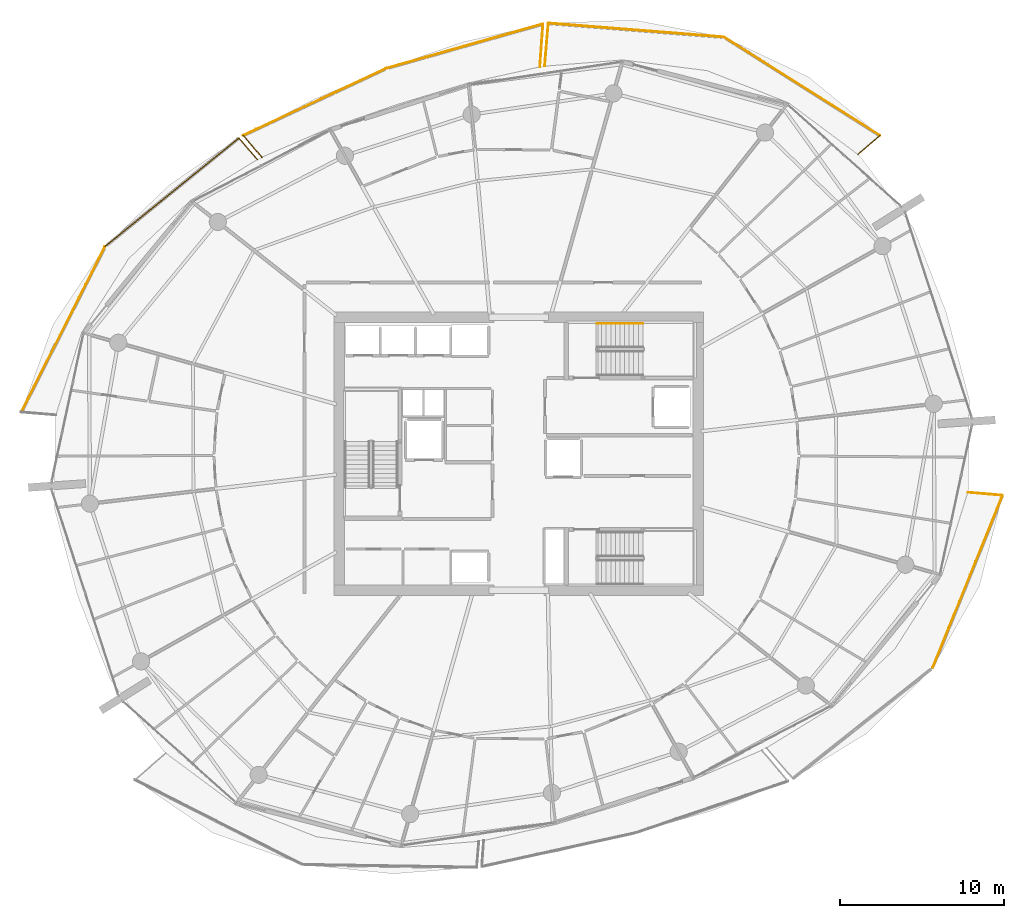
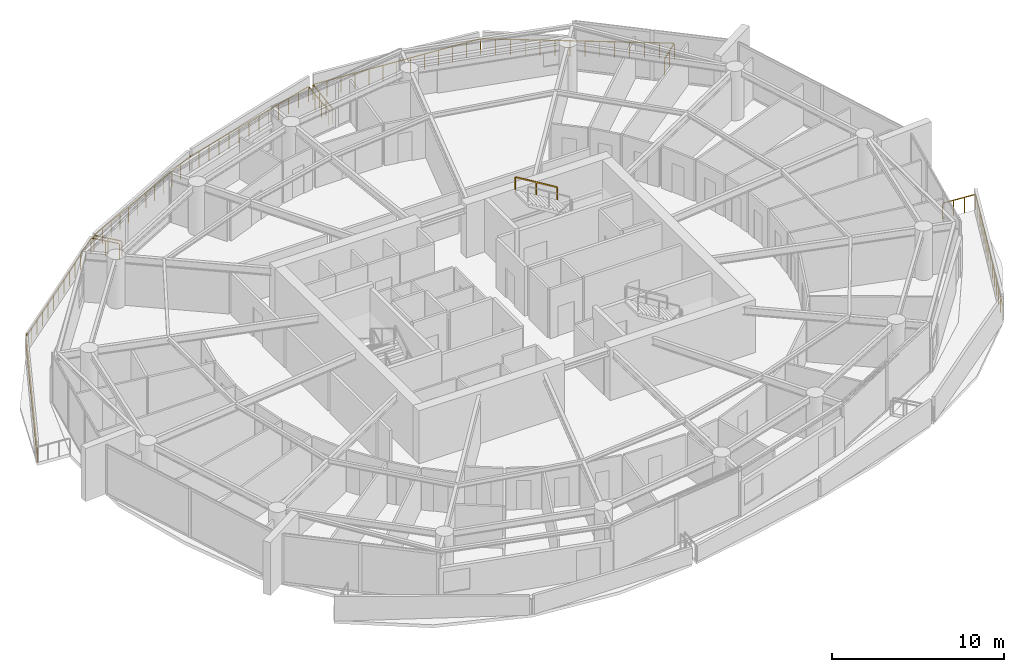
# One storey, part 21 of 21: 14 railings.
"""IFC4 building model written with IfcOpenShell, lengths in metres."""

from ifc_helpers import new_model, si_unit, direction, frame, origin, origin_2d, place, context, subcontext, project, spatial, rectangle, extrude, material, type_object, element, save


model = new_model("IFC4")

# Units and contexts
model_context = context("Model", 3, precision=1e-05, world=origin(), true_north=direction((0.0, 1.0)))
body_context = subcontext(model_context, "Body", "Model", "MODEL_VIEW")
ifc_project = project(units=[si_unit("LENGTHUNIT", "METRE"), si_unit("AREAUNIT", "SQUARE_METRE"), si_unit("VOLUMEUNIT", "CUBIC_METRE"), si_unit("PLANEANGLEUNIT", "RADIAN"), si_unit("MASSUNIT", "GRAM", prefix="KILO")], contexts=[model_context])

# Site, building, storey
site_placement = place(None, origin())
site = spatial("IfcSite", under=ifc_project, at=site_placement, CompositionType="ELEMENT")
building_placement = place(site_placement, origin())
building = spatial("IfcBuilding", under=site, at=building_placement, Name="Kazma Halo Residences", CompositionType="ELEMENT")
storey_placement = place(building_placement, frame((0.0, 0.0, 187.800048828125)))
storey = spatial("IfcBuildingStorey", under=building, at=storey_placement, Name="L47", CompositionType="ELEMENT", Elevation=187.800048828125)

# Railings
ifc_material_1 = material(Name="Aluminium AW-6063 T6 Brushed Cap Rail", Category="aluminium")
railing_type_1 = type_object("IfcRailingType", Name="RLG-BAL-CAP-1120", PredefinedType="BALUSTRADE", material=ifc_material_1)
railing_1_placement = place(storey_placement, frame((69.130126953125, 60.271240234375, 0.0)))
element("IfcRailing", 1, at=railing_1_placement, inside=storey, type_object=railing_type_1, Name="L47 NE wave balcony guard 1", PredefinedType="BALUSTRADE", context=body_context, shape_type="SweptSolid", body=[
    extrude(rectangle(XDim=0.050048828125, YDim=0.050048828125, at=origin_2d()), frame((0.0322265625, 0.02783203125, 1.09521484375), z_axis=(0.756426307601, 0.654078925795, 0.0), x_axis=(-0.654078925795, 0.756426307601, 0.0)), (0.0, 0.0, 1.0), 1.6728515625),
    extrude(rectangle(XDim=0.0400390625, YDim=0.0400390625, at=origin_2d()), origin(), (0.0, 0.0, 1.0), 1.05810546875),
    extrude(rectangle(XDim=0.0400390625, YDim=0.0400390625, at=origin_2d()), frame((0.6650390625, 0.574951171875, 0.0)), (0.0, 0.0, 1.0), 1.05810546875),
    extrude(rectangle(XDim=0.0400390625, YDim=0.0400390625, at=origin_2d()), frame((1.329833984375, 1.14990234375, 0.0)), (0.0, 0.0, 1.0), 1.05810546875),
])
railing_2_placement = place(storey_placement, frame((70.4599609375, 61.421142578125, 0.0)))
element("IfcRailing", 2, at=railing_2_placement, inside=storey, type_object=railing_type_1, Name="L47 NE wave balcony guard 2", PredefinedType="BALUSTRADE", context=body_context, shape_type="SweptSolid", body=[
    extrude(rectangle(XDim=0.050048828125, YDim=0.050048828125, at=origin_2d()), frame((-0.035888671875, 0.022705078125, 1.09521484375), z_axis=(-0.845271598737, 0.53433690156, 0.0), x_axis=(-0.53433690156, -0.845271598737, 0.0)), (0.0, 0.0, 1.0), 11.157958984375),
    extrude(rectangle(XDim=0.0400390625, YDim=0.0400390625, at=origin_2d()), origin(), (0.0, 0.0, 1.0), 1.05810546875),
    extrude(rectangle(XDim=0.0400390625, YDim=0.0400390625, at=origin_2d()), frame((-0.73095703125, 0.462158203125, 0.0)), (0.0, 0.0, 1.0), 1.05810546875),
    extrude(rectangle(XDim=0.0400390625, YDim=0.0400390625, at=origin_2d()), frame((-1.462158203125, 0.92431640625, 0.0)), (0.0, 0.0, 1.0), 1.05810546875),
    extrude(rectangle(XDim=0.0400390625, YDim=0.0400390625, at=origin_2d()), frame((-2.193115234375, 1.386474609375, 0.0)), (0.0, 0.0, 1.0), 1.05810546875),
    extrude(rectangle(XDim=0.0400390625, YDim=0.0400390625, at=origin_2d()), frame((-2.924072265625, 1.848388671875, 0.0)), (0.0, 0.0, 1.0), 1.05810546875),
    extrude(rectangle(XDim=0.0400390625, YDim=0.0400390625, at=origin_2d()), frame((-3.6552734375, 2.310546875, 0.0)), (0.0, 0.0, 1.0), 1.05810546875),
    extrude(rectangle(XDim=0.0400390625, YDim=0.0400390625, at=origin_2d()), frame((-4.38623046875, 2.772705078125, 0.0)), (0.0, 0.0, 1.0), 1.05810546875),
    extrude(rectangle(XDim=0.0400390625, YDim=0.0400390625, at=origin_2d()), frame((-5.1171875, 3.23486328125, 0.0)), (0.0, 0.0, 1.0), 1.05810546875),
    extrude(rectangle(XDim=0.0400390625, YDim=0.0400390625, at=origin_2d()), frame((-5.84814453125, 3.697021484375, 0.0)), (0.0, 0.0, 1.0), 1.05810546875),
    extrude(rectangle(XDim=0.0400390625, YDim=0.0400390625, at=origin_2d()), frame((-6.579345703125, 4.1591796875, 0.0)), (0.0, 0.0, 1.0), 1.05810546875),
    extrude(rectangle(XDim=0.0400390625, YDim=0.0400390625, at=origin_2d()), frame((-7.310302734375, 4.62109375, 0.0)), (0.0, 0.0, 1.0), 1.05810546875),
    extrude(rectangle(XDim=0.0400390625, YDim=0.0400390625, at=origin_2d()), frame((-8.041259765625, 5.083251953125, 0.0)), (0.0, 0.0, 1.0), 1.05810546875),
    extrude(rectangle(XDim=0.0400390625, YDim=0.0400390625, at=origin_2d()), frame((-8.7724609375, 5.54541015625, 0.0)), (0.0, 0.0, 1.0), 1.05810546875),
    extrude(rectangle(XDim=0.0400390625, YDim=0.0400390625, at=origin_2d()), frame((-9.50341796875, 6.007568359375, 0.0)), (0.0, 0.0, 1.0), 1.05810546875),
])
railing_3_placement = place(storey_placement, frame((60.95654296875, 67.4287109375, 0.0)))
element("IfcRailing", 3, at=railing_3_placement, inside=storey, type_object=railing_type_1, Name="L47 NE wave balcony guard 3", PredefinedType="BALUSTRADE", context=body_context, shape_type="SweptSolid", body=[
    extrude(rectangle(XDim=0.050048828125, YDim=0.050048828125, at=origin_2d()), frame((-0.04248046875, 0.00341796875, 1.09521484375), z_axis=(-0.99689777388, 0.078707232409, 0.0), x_axis=(-0.078707232409, -0.99689777388, 0.0)), (0.0, 0.0, 1.0), 10.67529296875),
    extrude(rectangle(XDim=0.0400390625, YDim=0.0400390625, at=origin_2d()), origin(), (0.0, 0.0, 1.0), 1.05810546875),
    extrude(rectangle(XDim=0.0400390625, YDim=0.0400390625, at=origin_2d()), frame((-0.89404296875, 0.070556640625, 0.0)), (0.0, 0.0, 1.0), 1.05810546875),
    extrude(rectangle(XDim=0.0400390625, YDim=0.0400390625, at=origin_2d()), frame((-1.787841796875, 0.14111328125, 0.0)), (0.0, 0.0, 1.0), 1.05810546875),
    extrude(rectangle(XDim=0.0400390625, YDim=0.0400390625, at=origin_2d()), frame((-2.681640625, 0.211669921875, 0.0)), (0.0, 0.0, 1.0), 1.05810546875),
    extrude(rectangle(XDim=0.0400390625, YDim=0.0400390625, at=origin_2d()), frame((-3.57568359375, 0.2822265625, 0.0)), (0.0, 0.0, 1.0), 1.05810546875),
    extrude(rectangle(XDim=0.0400390625, YDim=0.0400390625, at=origin_2d()), frame((-4.4697265625, 0.352783203125, 0.0)), (0.0, 0.0, 1.0), 1.05810546875),
    extrude(rectangle(XDim=0.0400390625, YDim=0.0400390625, at=origin_2d()), frame((-5.363525390625, 0.42333984375, 0.0)), (0.0, 0.0, 1.0), 1.05810546875),
    extrude(rectangle(XDim=0.0400390625, YDim=0.0400390625, at=origin_2d()), frame((-6.25732421875, 0.494140625, 0.0)), (0.0, 0.0, 1.0), 1.05810546875),
    extrude(rectangle(XDim=0.0400390625, YDim=0.0400390625, at=origin_2d()), frame((-7.1513671875, 0.564697265625, 0.0)), (0.0, 0.0, 1.0), 1.05810546875),
    extrude(rectangle(XDim=0.0400390625, YDim=0.0400390625, at=origin_2d()), frame((-8.04541015625, 0.63525390625, 0.0)), (0.0, 0.0, 1.0), 1.05810546875),
    extrude(rectangle(XDim=0.0400390625, YDim=0.0400390625, at=origin_2d()), frame((-8.939208984375, 0.705810546875, 0.0)), (0.0, 0.0, 1.0), 1.05810546875),
    extrude(rectangle(XDim=0.0400390625, YDim=0.0400390625, at=origin_2d()), frame((-9.8330078125, 0.7763671875, 0.0)), (0.0, 0.0, 1.0), 1.05810546875),
    extrude(rectangle(XDim=0.0400390625, YDim=0.0400390625, at=origin_2d()), frame((-10.72705078125, 0.846923828125, 0.0)), (0.0, 0.0, 1.0), 1.05810546875),
])
railing_4_placement = place(storey_placement, frame((50.2294921875, 68.275634765625, 0.0)))
element("IfcRailing", 4, at=railing_4_placement, inside=storey, type_object=railing_type_1, Name="L47 NE wave balcony guard 4", PredefinedType="BALUSTRADE", context=body_context, shape_type="SweptSolid", body=[
    extrude(rectangle(XDim=0.050048828125, YDim=0.050048828125, at=origin_2d()), frame((-0.003662109375, -0.04248046875, 1.09521484375), z_axis=(-0.084597784786, -0.996415181944, 0.0), x_axis=(0.996415181944, -0.084597784786, 0.0)), (0.0, 0.0, 1.0), 2.5439453125),
    extrude(rectangle(XDim=0.0400390625, YDim=0.0400390625, at=origin_2d()), origin(), (0.0, 0.0, 1.0), 1.05810546875),
    extrude(rectangle(XDim=0.0400390625, YDim=0.0400390625, at=origin_2d()), frame((-0.07421875, -0.873291015625, 0.0)), (0.0, 0.0, 1.0), 1.05810546875),
    extrude(rectangle(XDim=0.0400390625, YDim=0.0400390625, at=origin_2d()), frame((-0.148193359375, -1.746337890625, 0.0)), (0.0, 0.0, 1.0), 1.05810546875),
    extrude(rectangle(XDim=0.0400390625, YDim=0.0400390625, at=origin_2d()), frame((-0.222412109375, -2.61962890625, 0.0)), (0.0, 0.0, 1.0), 1.05810546875),
])
railing_5_placement = place(storey_placement, frame((49.713134765625, 65.612060546875, 0.0)))
element("IfcRailing", 5, at=railing_5_placement, inside=storey, type_object=railing_type_1, Name="L47 NNW wave balcony guard 1", PredefinedType="BALUSTRADE", context=body_context, shape_type="SweptSolid", body=[
    extrude(rectangle(XDim=0.050048828125, YDim=0.050048828125, at=origin_2d()), frame((0.003173828125, 0.04248046875, 1.09521484375), z_axis=(0.072463352725, 0.997371075634, 0.0), x_axis=(-0.997371075634, 0.072463352725, 0.0)), (0.0, 0.0, 1.0), 2.53955078125),
    extrude(rectangle(XDim=0.0400390625, YDim=0.0400390625, at=origin_2d()), origin(), (0.0, 0.0, 1.0), 1.05810546875),
    extrude(rectangle(XDim=0.0400390625, YDim=0.0400390625, at=origin_2d()), frame((0.0634765625, 0.87255859375, 0.0)), (0.0, 0.0, 1.0), 1.05810546875),
    extrude(rectangle(XDim=0.0400390625, YDim=0.0400390625, at=origin_2d()), frame((0.126708984375, 1.7451171875, 0.0)), (0.0, 0.0, 1.0), 1.05810546875),
    extrude(rectangle(XDim=0.0400390625, YDim=0.0400390625, at=origin_2d()), frame((0.190185546875, 2.61767578125, 0.0)), (0.0, 0.0, 1.0), 1.05810546875),
])
railing_6_placement = place(storey_placement, frame((49.9033203125, 68.229736328125, 0.0)))
element("IfcRailing", 6, at=railing_6_placement, inside=storey, type_object=railing_type_1, Name="L47 NNW wave balcony guard 2", PredefinedType="BALUSTRADE", context=body_context, shape_type="SweptSolid", body=[
    extrude(rectangle(XDim=0.050048828125, YDim=0.050048828125, at=origin_2d()), frame((-0.041015625, -0.01171875, 1.09521484375), z_axis=(-0.962080895035, -0.272764278102, 0.0), x_axis=(0.272764278102, -0.962080895035, 0.0)), (0.0, 0.0, 1.0), 9.837646484375),
    extrude(rectangle(XDim=0.0400390625, YDim=0.0400390625, at=origin_2d()), origin(), (0.0, 0.0, 1.0), 1.05810546875),
    extrude(rectangle(XDim=0.0400390625, YDim=0.0400390625, at=origin_2d()), frame((-0.79541015625, -0.2255859375, 0.0)), (0.0, 0.0, 1.0), 1.05810546875),
    extrude(rectangle(XDim=0.0400390625, YDim=0.0400390625, at=origin_2d()), frame((-1.591064453125, -0.451171875, 0.0)), (0.0, 0.0, 1.0), 1.05810546875),
    extrude(rectangle(XDim=0.0400390625, YDim=0.0400390625, at=origin_2d()), frame((-2.38671875, -0.6767578125, 0.0)), (0.0, 0.0, 1.0), 1.05810546875),
    extrude(rectangle(XDim=0.0400390625, YDim=0.0400390625, at=origin_2d()), frame((-3.18212890625, -0.902099609375, 0.0)), (0.0, 0.0, 1.0), 1.05810546875),
    extrude(rectangle(XDim=0.0400390625, YDim=0.0400390625, at=origin_2d()), frame((-3.9775390625, -1.127685546875, 0.0)), (0.0, 0.0, 1.0), 1.05810546875),
    extrude(rectangle(XDim=0.0400390625, YDim=0.0400390625, at=origin_2d()), frame((-4.773193359375, -1.353271484375, 0.0)), (0.0, 0.0, 1.0), 1.05810546875),
    extrude(rectangle(XDim=0.0400390625, YDim=0.0400390625, at=origin_2d()), frame((-5.56884765625, -1.578857421875, 0.0)), (0.0, 0.0, 1.0), 1.05810546875),
    extrude(rectangle(XDim=0.0400390625, YDim=0.0400390625, at=origin_2d()), frame((-6.3642578125, -1.804443359375, 0.0)), (0.0, 0.0, 1.0), 1.05810546875),
    extrude(rectangle(XDim=0.0400390625, YDim=0.0400390625, at=origin_2d()), frame((-7.15966796875, -2.02978515625, 0.0)), (0.0, 0.0, 1.0), 1.05810546875),
    extrude(rectangle(XDim=0.0400390625, YDim=0.0400390625, at=origin_2d()), frame((-7.955322265625, -2.25537109375, 0.0)), (0.0, 0.0, 1.0), 1.05810546875),
    extrude(rectangle(XDim=0.0400390625, YDim=0.0400390625, at=origin_2d()), frame((-8.7509765625, -2.48095703125, 0.0)), (0.0, 0.0, 1.0), 1.05810546875),
    extrude(rectangle(XDim=0.0400390625, YDim=0.0400390625, at=origin_2d()), frame((-9.54638671875, -2.70654296875, 0.0)), (0.0, 0.0, 1.0), 1.05810546875),
])
railing_7_placement = place(storey_placement, frame((40.35693359375, 65.523193359375, 0.0)))
element("IfcRailing", 7, at=railing_7_placement, inside=storey, type_object=railing_type_1, Name="L47 NNW wave balcony guard 3", PredefinedType="BALUSTRADE", context=body_context, shape_type="SweptSolid", body=[
    extrude(rectangle(XDim=0.050048828125, YDim=0.050048828125, at=origin_2d()), frame((-0.03857421875, -0.01806640625, 1.09521484375), z_axis=(-0.905658005757, -0.424008934585, 0.0), x_axis=(0.424008934585, -0.905658005757, 0.0)), (0.0, 0.0, 1.0), 9.572021484375),
    extrude(rectangle(XDim=0.0400390625, YDim=0.0400390625, at=origin_2d()), origin(), (0.0, 0.0, 1.0), 1.05810546875),
    extrude(rectangle(XDim=0.0400390625, YDim=0.0400390625, at=origin_2d()), frame((-0.795166015625, -0.372314453125, 0.0)), (0.0, 0.0, 1.0), 1.05810546875),
    extrude(rectangle(XDim=0.0400390625, YDim=0.0400390625, at=origin_2d()), frame((-1.590087890625, -0.744384765625, 0.0)), (0.0, 0.0, 1.0), 1.05810546875),
    extrude(rectangle(XDim=0.0400390625, YDim=0.0400390625, at=origin_2d()), frame((-2.38525390625, -1.11669921875, 0.0)), (0.0, 0.0, 1.0), 1.05810546875),
    extrude(rectangle(XDim=0.0400390625, YDim=0.0400390625, at=origin_2d()), frame((-3.180419921875, -1.489013671875, 0.0)), (0.0, 0.0, 1.0), 1.05810546875),
    extrude(rectangle(XDim=0.0400390625, YDim=0.0400390625, at=origin_2d()), frame((-3.9755859375, -1.861328125, 0.0)), (0.0, 0.0, 1.0), 1.05810546875),
    extrude(rectangle(XDim=0.0400390625, YDim=0.0400390625, at=origin_2d()), frame((-4.7705078125, -2.2333984375, 0.0)), (0.0, 0.0, 1.0), 1.05810546875),
    extrude(rectangle(XDim=0.0400390625, YDim=0.0400390625, at=origin_2d()), frame((-5.565673828125, -2.605712890625, 0.0)), (0.0, 0.0, 1.0), 1.05810546875),
    extrude(rectangle(XDim=0.0400390625, YDim=0.0400390625, at=origin_2d()), frame((-6.36083984375, -2.97802734375, 0.0)), (0.0, 0.0, 1.0), 1.05810546875),
    extrude(rectangle(XDim=0.0400390625, YDim=0.0400390625, at=origin_2d()), frame((-7.156005859375, -3.350341796875, 0.0)), (0.0, 0.0, 1.0), 1.05810546875),
    extrude(rectangle(XDim=0.0400390625, YDim=0.0400390625, at=origin_2d()), frame((-7.950927734375, -3.722412109375, 0.0)), (0.0, 0.0, 1.0), 1.05810546875),
    extrude(rectangle(XDim=0.0400390625, YDim=0.0400390625, at=origin_2d()), frame((-8.74609375, -4.0947265625, 0.0)), (0.0, 0.0, 1.0), 1.05810546875),
])
railing_8_placement = place(storey_placement, frame((31.61083984375, 61.428466796875, 0.0)))
element("IfcRailing", 8, at=railing_8_placement, inside=storey, type_object=railing_type_1, Name="L47 NNW wave balcony guard 4", PredefinedType="BALUSTRADE", context=body_context, shape_type="SweptSolid", body=[
    extrude(rectangle(XDim=0.050048828125, YDim=0.050048828125, at=origin_2d()), frame((0.02734375, -0.032470703125, 1.09521484375), z_axis=(0.644717584912, -0.764420849863, 0.0), x_axis=(0.764420849863, 0.644717584912, 0.0)), (0.0, 0.0, 1.0), 1.65869140625),
    extrude(rectangle(XDim=0.0400390625, YDim=0.0400390625, at=origin_2d()), origin(), (0.0, 0.0, 1.0), 1.05810546875),
    extrude(rectangle(XDim=0.0400390625, YDim=0.0400390625, at=origin_2d()), frame((0.56201171875, -0.66650390625, 0.0)), (0.0, 0.0, 1.0), 1.05810546875),
    extrude(rectangle(XDim=0.0400390625, YDim=0.0400390625, at=origin_2d()), frame((1.124267578125, -1.3330078125, 0.0)), (0.0, 0.0, 1.0), 1.05810546875),
])
railing_9_placement = place(storey_placement, frame((32.471435546875, 59.958251953125, 0.0)))
element("IfcRailing", 9, at=railing_9_placement, inside=storey, type_object=railing_type_1, Name="L47 NW wave balcony guard 1", PredefinedType="BALUSTRADE", context=body_context, shape_type="SweptSolid", body=[
    extrude(rectangle(XDim=0.050048828125, YDim=0.050048828125, at=origin_2d()), frame((-0.02783203125, 0.0322265625, 1.09521484375), z_axis=(-0.654099710021, 0.756408335061, 0.0), x_axis=(-0.756408335061, -0.654099710021, 0.0)), (0.0, 0.0, 1.0), 1.649658203125),
    extrude(rectangle(XDim=0.0400390625, YDim=0.0400390625, at=origin_2d()), origin(), (0.0, 0.0, 1.0), 1.05810546875),
    extrude(rectangle(XDim=0.0400390625, YDim=0.0400390625, at=origin_2d()), frame((-0.5673828125, 0.65625, 0.0)), (0.0, 0.0, 1.0), 1.05810546875),
    extrude(rectangle(XDim=0.0400390625, YDim=0.0400390625, at=origin_2d()), frame((-1.134765625, 1.312255859375, 0.0)), (0.0, 0.0, 1.0), 1.05810546875),
])
railing_10_placement = place(storey_placement, frame((31.336669921875, 61.2705078125, 0.0)))
element("IfcRailing", 10, at=railing_10_placement, inside=storey, type_object=railing_type_1, Name="L47 NW wave balcony guard 2", PredefinedType="BALUSTRADE", context=body_context, shape_type="SweptSolid", body=[
    extrude(rectangle(XDim=0.050048828125, YDim=0.050048828125, at=origin_2d()), frame((-0.032958984375, -0.02685546875, 1.09521484375), z_axis=(-0.77646847303, -0.630156100019, 0.0), x_axis=(0.630156100019, -0.77646847303, 0.0)), (0.0, 0.0, 1.0), 10.423828125),
    extrude(rectangle(XDim=0.0400390625, YDim=0.0400390625, at=origin_2d()), origin(), (0.0, 0.0, 1.0), 1.05810546875),
    extrude(rectangle(XDim=0.0400390625, YDim=0.0400390625, at=origin_2d()), frame((-0.679931640625, -0.5517578125, 0.0)), (0.0, 0.0, 1.0), 1.05810546875),
    extrude(rectangle(XDim=0.0400390625, YDim=0.0400390625, at=origin_2d()), frame((-1.35986328125, -1.103759765625, 0.0)), (0.0, 0.0, 1.0), 1.05810546875),
    extrude(rectangle(XDim=0.0400390625, YDim=0.0400390625, at=origin_2d()), frame((-2.0400390625, -1.655517578125, 0.0)), (0.0, 0.0, 1.0), 1.05810546875),
    extrude(rectangle(XDim=0.0400390625, YDim=0.0400390625, at=origin_2d()), frame((-2.719970703125, -2.20751953125, 0.0)), (0.0, 0.0, 1.0), 1.05810546875),
    extrude(rectangle(XDim=0.0400390625, YDim=0.0400390625, at=origin_2d()), frame((-3.39990234375, -2.75927734375, 0.0)), (0.0, 0.0, 1.0), 1.05810546875),
    extrude(rectangle(XDim=0.0400390625, YDim=0.0400390625, at=origin_2d()), frame((-4.080078125, -3.31103515625, 0.0)), (0.0, 0.0, 1.0), 1.05810546875),
    extrude(rectangle(XDim=0.0400390625, YDim=0.0400390625, at=origin_2d()), frame((-4.760009765625, -3.863037109375, 0.0)), (0.0, 0.0, 1.0), 1.05810546875),
    extrude(rectangle(XDim=0.0400390625, YDim=0.0400390625, at=origin_2d()), frame((-5.43994140625, -4.414794921875, 0.0)), (0.0, 0.0, 1.0), 1.05810546875),
    extrude(rectangle(XDim=0.0400390625, YDim=0.0400390625, at=origin_2d()), frame((-6.119873046875, -4.966796875, 0.0)), (0.0, 0.0, 1.0), 1.05810546875),
    extrude(rectangle(XDim=0.0400390625, YDim=0.0400390625, at=origin_2d()), frame((-6.7998046875, -5.5185546875, 0.0)), (0.0, 0.0, 1.0), 1.05810546875),
    extrude(rectangle(XDim=0.0400390625, YDim=0.0400390625, at=origin_2d()), frame((-7.47998046875, -6.070556640625, 0.0)), (0.0, 0.0, 1.0), 1.05810546875),
    extrude(rectangle(XDim=0.0400390625, YDim=0.0400390625, at=origin_2d()), frame((-8.159912109375, -6.622314453125, 0.0)), (0.0, 0.0, 1.0), 1.05810546875),
])
railing_11_placement = place(storey_placement, frame((23.1767578125, 54.648193359375, 0.0)))
element("IfcRailing", 11, at=railing_11_placement, inside=storey, type_object=railing_type_1, Name="L47 NW wave balcony guard 3", PredefinedType="BALUSTRADE", context=body_context, shape_type="SweptSolid", body=[
    extrude(rectangle(XDim=0.050048828125, YDim=0.050048828125, at=origin_2d()), frame((-0.019287109375, -0.037841796875, 1.09521484375), z_axis=(-0.45137268002, -0.892335533155, 0.0), x_axis=(0.892335533155, -0.45137268002, 0.0)), (0.0, 0.0, 1.0), 11.24267578125),
    extrude(rectangle(XDim=0.0400390625, YDim=0.0400390625, at=origin_2d()), origin(), (0.0, 0.0, 1.0), 1.05810546875),
    extrude(rectangle(XDim=0.0400390625, YDim=0.0400390625, at=origin_2d()), frame((-0.393310546875, -0.777587890625, 0.0)), (0.0, 0.0, 1.0), 1.05810546875),
    extrude(rectangle(XDim=0.0400390625, YDim=0.0400390625, at=origin_2d()), frame((-0.78662109375, -1.55517578125, 0.0)), (0.0, 0.0, 1.0), 1.05810546875),
    extrude(rectangle(XDim=0.0400390625, YDim=0.0400390625, at=origin_2d()), frame((-1.179931640625, -2.332763671875, 0.0)), (0.0, 0.0, 1.0), 1.05810546875),
    extrude(rectangle(XDim=0.0400390625, YDim=0.0400390625, at=origin_2d()), frame((-1.5732421875, -3.110107421875, 0.0)), (0.0, 0.0, 1.0), 1.05810546875),
    extrude(rectangle(XDim=0.0400390625, YDim=0.0400390625, at=origin_2d()), frame((-1.966552734375, -3.8876953125, 0.0)), (0.0, 0.0, 1.0), 1.05810546875),
    extrude(rectangle(XDim=0.0400390625, YDim=0.0400390625, at=origin_2d()), frame((-2.35986328125, -4.665283203125, 0.0)), (0.0, 0.0, 1.0), 1.05810546875),
    extrude(rectangle(XDim=0.0400390625, YDim=0.0400390625, at=origin_2d()), frame((-2.753173828125, -5.44287109375, 0.0)), (0.0, 0.0, 1.0), 1.05810546875),
    extrude(rectangle(XDim=0.0400390625, YDim=0.0400390625, at=origin_2d()), frame((-3.146484375, -6.220458984375, 0.0)), (0.0, 0.0, 1.0), 1.05810546875),
    extrude(rectangle(XDim=0.0400390625, YDim=0.0400390625, at=origin_2d()), frame((-3.539794921875, -6.998046875, 0.0)), (0.0, 0.0, 1.0), 1.05810546875),
    extrude(rectangle(XDim=0.0400390625, YDim=0.0400390625, at=origin_2d()), frame((-3.93310546875, -7.775390625, 0.0)), (0.0, 0.0, 1.0), 1.05810546875),
    extrude(rectangle(XDim=0.0400390625, YDim=0.0400390625, at=origin_2d()), frame((-4.326416015625, -8.552978515625, 0.0)), (0.0, 0.0, 1.0), 1.05810546875),
    extrude(rectangle(XDim=0.0400390625, YDim=0.0400390625, at=origin_2d()), frame((-4.7197265625, -9.33056640625, 0.0)), (0.0, 0.0, 1.0), 1.05810546875),
    extrude(rectangle(XDim=0.0400390625, YDim=0.0400390625, at=origin_2d()), frame((-5.113037109375, -10.108154296875, 0.0)), (0.0, 0.0, 1.0), 1.05810546875),
])
railing_12_placement = place(storey_placement, frame((73.679443359375, 28.915771484375, 0.0)))
element("IfcRailing", 12, at=railing_12_placement, inside=storey, type_object=railing_type_1, Name="L47 SE wave balcony guard 3", PredefinedType="BALUSTRADE", context=body_context, shape_type="SweptSolid", body=[
    extrude(rectangle(XDim=0.050048828125, YDim=0.050048828125, at=origin_2d()), frame((0.015869140625, 0.039306640625, 1.09521484375), z_axis=(0.375830136457, 0.92668857149, 0.0), x_axis=(-0.92668857149, 0.375830136457, 0.0)), (0.0, 0.0, 1.0), 11.29150390625),
    extrude(rectangle(XDim=0.0400390625, YDim=0.0400390625, at=origin_2d()), origin(), (0.0, 0.0, 1.0), 1.05810546875),
    extrude(rectangle(XDim=0.0400390625, YDim=0.0400390625, at=origin_2d()), frame((0.328857421875, 0.81103515625, 0.0)), (0.0, 0.0, 1.0), 1.05810546875),
    extrude(rectangle(XDim=0.0400390625, YDim=0.0400390625, at=origin_2d()), frame((0.65771484375, 1.621826171875, 0.0)), (0.0, 0.0, 1.0), 1.05810546875),
    extrude(rectangle(XDim=0.0400390625, YDim=0.0400390625, at=origin_2d()), frame((0.986572265625, 2.432861328125, 0.0)), (0.0, 0.0, 1.0), 1.05810546875),
    extrude(rectangle(XDim=0.0400390625, YDim=0.0400390625, at=origin_2d()), frame((1.315673828125, 3.243896484375, 0.0)), (0.0, 0.0, 1.0), 1.05810546875),
    extrude(rectangle(XDim=0.0400390625, YDim=0.0400390625, at=origin_2d()), frame((1.64453125, 4.0546875, 0.0)), (0.0, 0.0, 1.0), 1.05810546875),
    extrude(rectangle(XDim=0.0400390625, YDim=0.0400390625, at=origin_2d()), frame((1.973388671875, 4.86572265625, 0.0)), (0.0, 0.0, 1.0), 1.05810546875),
    extrude(rectangle(XDim=0.0400390625, YDim=0.0400390625, at=origin_2d()), frame((2.30224609375, 5.6767578125, 0.0)), (0.0, 0.0, 1.0), 1.05810546875),
    extrude(rectangle(XDim=0.0400390625, YDim=0.0400390625, at=origin_2d()), frame((2.631103515625, 6.48779296875, 0.0)), (0.0, 0.0, 1.0), 1.05810546875),
    extrude(rectangle(XDim=0.0400390625, YDim=0.0400390625, at=origin_2d()), frame((2.9599609375, 7.298583984375, 0.0)), (0.0, 0.0, 1.0), 1.05810546875),
    extrude(rectangle(XDim=0.0400390625, YDim=0.0400390625, at=origin_2d()), frame((3.2890625, 8.109619140625, 0.0)), (0.0, 0.0, 1.0), 1.05810546875),
    extrude(rectangle(XDim=0.0400390625, YDim=0.0400390625, at=origin_2d()), frame((3.617919921875, 8.920654296875, 0.0)), (0.0, 0.0, 1.0), 1.05810546875),
    extrude(rectangle(XDim=0.0400390625, YDim=0.0400390625, at=origin_2d()), frame((3.94677734375, 9.7314453125, 0.0)), (0.0, 0.0, 1.0), 1.05810546875),
    extrude(rectangle(XDim=0.0400390625, YDim=0.0400390625, at=origin_2d()), frame((4.275634765625, 10.54248046875, 0.0)), (0.0, 0.0, 1.0), 1.05810546875),
])
railing_13_placement = place(storey_placement, frame((77.955078125, 39.458251953125, 0.0)))
element("IfcRailing", 13, at=railing_13_placement, inside=storey, type_object=railing_type_1, Name="L47 SE wave balcony guard 4", PredefinedType="BALUSTRADE", context=body_context, shape_type="SweptSolid", body=[
    extrude(rectangle(XDim=0.050048828125, YDim=0.050048828125, at=origin_2d()), frame((-0.04248046875, 0.003662109375, 1.09521484375), z_axis=(-0.996420448737, 0.084535728182, 0.0), x_axis=(-0.084535728182, -0.996420448737, 0.0)), (0.0, 0.0, 1.0), 2.04345703125),
    extrude(rectangle(XDim=0.0400390625, YDim=0.0400390625, at=origin_2d()), origin(), (0.0, 0.0, 1.0), 1.05810546875),
    extrude(rectangle(XDim=0.0400390625, YDim=0.0400390625, at=origin_2d()), frame((-0.70703125, 0.06005859375, 0.0)), (0.0, 0.0, 1.0), 1.05810546875),
    extrude(rectangle(XDim=0.0400390625, YDim=0.0400390625, at=origin_2d()), frame((-1.413818359375, 0.119873046875, 0.0)), (0.0, 0.0, 1.0), 1.05810546875),
    extrude(rectangle(XDim=0.0400390625, YDim=0.0400390625, at=origin_2d()), frame((-2.120849609375, 0.179931640625, 0.0)), (0.0, 0.0, 1.0), 1.05810546875),
])
ifc_material_2 = material(Name="Brushed Stainless Steel", Category="steel")
railing_type_2 = type_object("IfcRailingType", Name="RLG-STAIR-HND-900", PredefinedType="HANDRAIL", material=ifc_material_2)
railing_14_placement = place(storey_placement, frame((56.0, 49.949951171875, 2.04541015625)))
element("IfcRailing", 14, at=railing_14_placement, inside=storey, type_object=railing_type_2, Name="L47 ST-02 stair handrail 2", PredefinedType="HANDRAIL", context=body_context, shape_type="SweptSolid", body=[
    extrude(rectangle(XDim=0.050048828125, YDim=0.050048828125, at=origin_2d()), frame((-0.036376953125, 0.0, 0.89697265625), z_axis=(-0.854169791009, 0.0, 0.51999420009), x_axis=(0.0, -1.0, 0.0)), (0.0, 0.0, 1.0), 3.193115234375),
    extrude(rectangle(XDim=0.0400390625, YDim=0.0400390625, at=origin_2d()), origin(), (0.0, 0.0, 1.0), 0.837890625),
    extrude(rectangle(XDim=0.0400390625, YDim=0.0400390625, at=origin_2d()), frame((-1.39990234375, 0.0, 0.852294921875)), (0.0, 0.0, 1.0), 0.837890625),
    extrude(rectangle(XDim=0.0400390625, YDim=0.0400390625, at=origin_2d()), frame((-2.800048828125, 0.0, 1.70458984375)), (0.0, 0.0, 1.0), 0.837890625),
])

save(model, "model.ifc")
